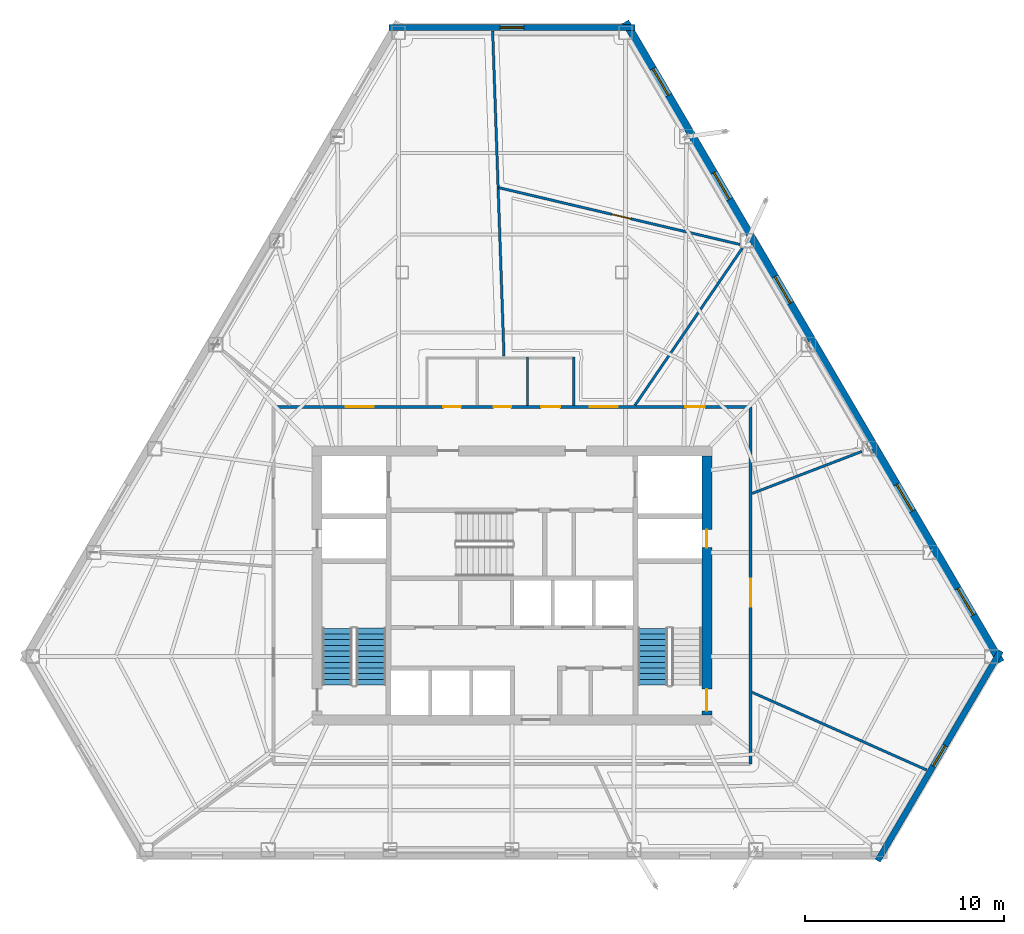
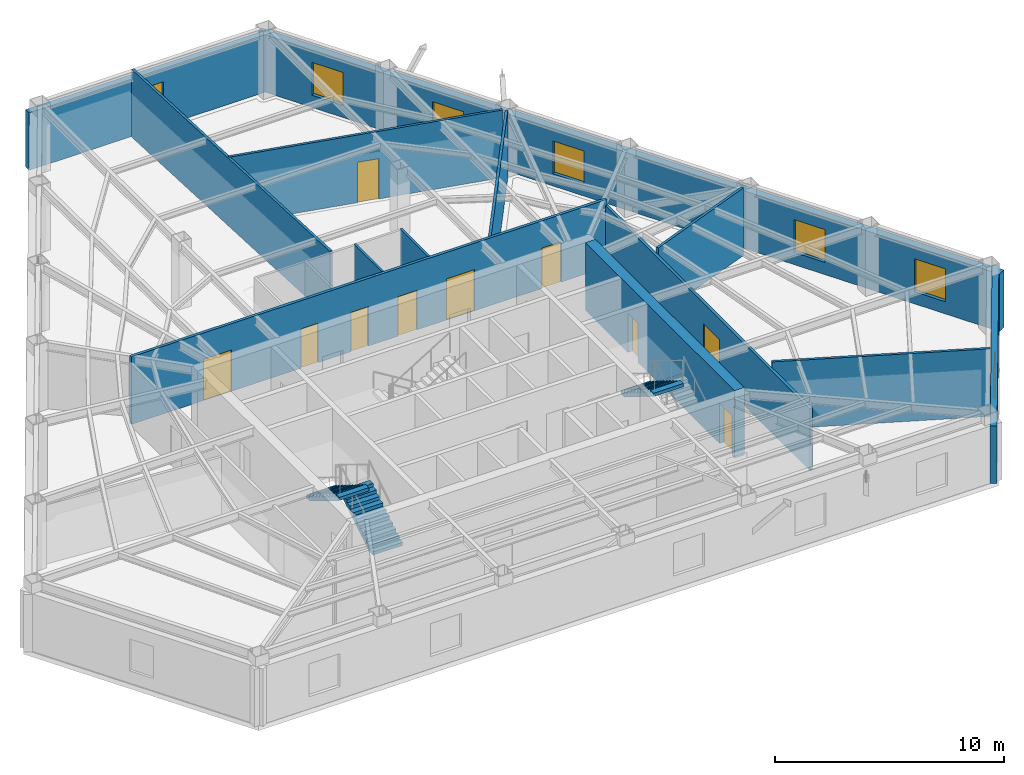
# One storey, part 10 of 13: 13 walls, 10 doors, 7 windows, 3 stair flights, 17 openings, 2 elements without a shape of their own.
"""IFC4 building model written with IfcOpenShell, lengths in metres."""

import ifcopenshell
import ifcopenshell.guid

model = None  # the IFC model being written
_history = None  # IfcOwnerHistory: only IFC2X3 demands one
_inside = {}  # id of a spatial element -> (the spatial element, [elements in it])
_under = {}  # id of a project, library or spatial element -> (it, [spatial elements below it])
_declared = {}  # id of a project -> (the project, [libraries it declares])
_typed = {}  # id of a type object -> (the type object, [elements of that type])
_made_of = {}  # id of a material, layer set ... -> (it, [elements and type objects made of it])


def new_model(schema):
    """Start an empty IFC model of exactly this schema.

    Asked for "IFC4X3", IfcOpenShell would pick the latest addendum, in which some entities
    have other attributes; the version numbers below select the first issue.
    IFC2X3 requires an IfcOwnerHistory on every rooted entity: one is made here for all.
    """
    global model, _history
    if schema == "IFC4X3":
        model = ifcopenshell.file(schema_version=(4, 3, 0, 0))
    else:
        model = ifcopenshell.file(schema=schema)
    _inside.clear()
    _under.clear()
    _declared.clear()
    _typed.clear()
    _made_of.clear()
    _history = None
    if model.schema == "IFC2X3":
        org = make("IfcOrganization", Name="unknown")
        user = make(
            "IfcPersonAndOrganization",
            ThePerson=make("IfcPerson", FamilyName="unknown"),
            TheOrganization=org,
        )
        app = make(
            "IfcApplication",
            ApplicationDeveloper=org,
            Version="unknown",
            ApplicationFullName="unknown",
            ApplicationIdentifier="unknown",
        )
        _history = make(
            "IfcOwnerHistory",
            OwningUser=user,
            OwningApplication=app,
            ChangeAction="ADDED",
            CreationDate=0,
        )
    return model


def make(cls, **values):
    """One entity of the class cls with the attributes given. An attribute that is None is left unset."""
    return model.create_entity(
        cls, **{name: value for name, value in values.items() if value is not None}
    )


def rooted(cls, **values):
    """An entity with a GlobalId (a new one), such as an element, a storey or a relation."""
    return make(cls, GlobalId=ifcopenshell.guid.new(), OwnerHistory=_history, **values)


def si_unit(unit_type, name, prefix=None):
    """IfcSIUnit, for example si_unit("LENGTHUNIT", "METRE", prefix="MILLI")."""
    return make("IfcSIUnit", UnitType=unit_type, Prefix=prefix, Name=name)


def assignment(units):
    """IfcUnitAssignment: the units of a project."""
    return None if units is None else make("IfcUnitAssignment", Units=units)


def point(xyz):
    """IfcCartesianPoint."""
    return None if xyz is None else make("IfcCartesianPoint", Coordinates=xyz)


def direction(xyz):
    """IfcDirection."""
    return None if xyz is None else make("IfcDirection", DirectionRatios=xyz)


def frame(location, z_axis=None, x_axis=None):
    """IfcAxis2Placement3D, a coordinate frame: its origin and axes. An axis left out is left unset."""
    return make(
        "IfcAxis2Placement3D",
        Location=point(location),
        Axis=direction(z_axis),
        RefDirection=direction(x_axis),
    )


def frame_2d(location, x_axis=None):
    """IfcAxis2Placement2D, a coordinate frame in the plane: its origin and x axis."""
    return make(
        "IfcAxis2Placement2D", Location=point(location), RefDirection=direction(x_axis)
    )


def origin():
    """The frame at (0, 0, 0) with its axes left unset."""
    return frame((0.0, 0.0, 0.0))


def place(relative_to, where):
    """IfcLocalPlacement: puts the frame where relative to a parent placement (None: the world)."""
    return make(
        "IfcLocalPlacement", PlacementRelTo=relative_to, RelativePlacement=where
    )


def context(
    kind, dimensions, precision=None, world=None, true_north=None, identifier=None
):
    """IfcGeometricRepresentationContext, for example the 3D "Model" context."""
    return make(
        "IfcGeometricRepresentationContext",
        ContextIdentifier=identifier,
        ContextType=kind,
        CoordinateSpaceDimension=dimensions,
        Precision=precision,
        WorldCoordinateSystem=world,
        TrueNorth=true_north,
    )


def subcontext(parent, identifier, kind, view, scale=None):
    """IfcGeometricRepresentationSubContext, for example "Body" below "Model"."""
    return make(
        "IfcGeometricRepresentationSubContext",
        ContextIdentifier=identifier,
        ContextType=kind,
        ParentContext=parent,
        TargetScale=scale,
        TargetView=view,
    )


def project(units=None, contexts=None):
    """IfcProject with its units and contexts."""
    return rooted(
        "IfcProject",
        Name="project",
        RepresentationContexts=contexts,
        UnitsInContext=assignment(units),
    )


def spatial(cls, under=None, at=None, **own):
    """A site, building, storey or space (cls), placed at a placement, below another one or the project."""
    s = rooted(cls, ObjectPlacement=at, **own)
    if under is not None:
        _under.setdefault(under.id(), (under, []))[1].append(s)
    return s


def polyline(points):
    """IfcPolyline through the points."""
    return make("IfcPolyline", Points=[point(p) for p in points])


def profile(cls, at=None, kind="AREA", **sizes):
    """A parametric profile (cls). Its sizes go by their IFC names, for example OverallWidth=200.0."""
    return make(cls, ProfileType=kind, Position=at, **sizes)


def rectangle(**sizes):
    """IfcRectangleProfileDef."""
    return profile("IfcRectangleProfileDef", **sizes)


def outline(outer, holes=None, kind="AREA"):
    """IfcArbitraryClosedProfileDef: a profile drawn as a closed curve; with holes, ...WithVoids."""
    if holes is None:
        return make("IfcArbitraryClosedProfileDef", ProfileType=kind, OuterCurve=outer)
    return make(
        "IfcArbitraryProfileDefWithVoids",
        ProfileType=kind,
        OuterCurve=outer,
        InnerCurves=holes,
    )


def extrude(swept, where, along, depth):
    """IfcExtrudedAreaSolid: the profile swept, set in the frame where, extruded along a direction by depth."""
    return make(
        "IfcExtrudedAreaSolid",
        SweptArea=swept,
        Position=where,
        ExtrudedDirection=direction(along),
        Depth=depth,
    )


def shape(context_of_items, identifier, shape_type, items):
    """IfcShapeRepresentation: the items that make up one representation, for example the "Body"."""
    return make(
        "IfcShapeRepresentation",
        ContextOfItems=context_of_items,
        RepresentationIdentifier=identifier,
        RepresentationType=shape_type,
        Items=items,
    )


def material(Name=None, Category=None):
    """IfcMaterial."""
    return make("IfcMaterial", Name=Name, Category=Category)


def layer(
    of_material, thickness, ventilated=None, Name=None, Category=None, Priority=None
):
    """IfcMaterialLayer: one layer of a wall or slab, of a material (None: an air gap)."""
    return make(
        "IfcMaterialLayer",
        Material=of_material,
        LayerThickness=thickness,
        IsVentilated=ventilated,
        Name=Name,
        Category=Category,
        Priority=Priority,
    )


def layer_set(layers, Name=None):
    """IfcMaterialLayerSet."""
    return make("IfcMaterialLayerSet", MaterialLayers=layers, LayerSetName=Name)


def made_of(thing, what):
    """Note that an element or type object is made of a material, layer set ...; save() writes the relation."""
    if what is not None:
        _made_of.setdefault(what.id(), (what, []))[1].append(thing)
    return thing


def type_object(cls, material=None, **own):
    """A type object (cls), such as IfcWallType, which elements share."""
    return made_of(rooted(cls, **own), material)


def element(
    cls,
    number,
    at=None,
    inside=None,
    cuts=None,
    type_object=None,
    material=None,
    context=None,
    identifier="Body",
    shape_type=None,
    held_by="IfcProductDefinitionShape",
    body=None,
    shapes=None,
    **own,
):
    """One element of the class cls, such as IfcWall. Its Tag is "e" and its number.

    at: its placement. inside: the storey or other place that contains it. cuts: it is an
    opening in that element (IfcRelVoidsElement). A single representation is given by context,
    identifier, shape_type and body (its items); several are given by shapes. held_by: the class
    of the entity that holds the representations. save() writes the other relations.
    """
    e = rooted(cls, Tag="e%d" % number, ObjectPlacement=at, **own)
    if body is not None:
        shapes = [shape(context, identifier, shape_type, body)]
    if shapes is not None:
        e.Representation = make(held_by, Representations=shapes)
    if inside is not None:
        _inside.setdefault(inside.id(), (inside, []))[1].append(e)
    if cuts is not None:
        rooted(
            "IfcRelVoidsElement", RelatingBuildingElement=cuts, RelatedOpeningElement=e
        )
    if type_object is not None:
        _typed.setdefault(type_object.id(), (type_object, []))[1].append(e)
    return made_of(e, material)


def fill(opening, filler):
    """IfcRelFillsElement: the door or window that sits in an opening."""
    return rooted(
        "IfcRelFillsElement",
        RelatingOpeningElement=opening,
        RelatedBuildingElement=filler,
    )


def aggregate(whole, parts):
    """IfcRelAggregates: a whole, such as a stair, and the parts it consists of."""
    return rooted("IfcRelAggregates", RelatingObject=whole, RelatedObjects=parts)


def save(model, path):
    """Write the relations noted so far, then the file.

    IfcRelAggregates (storeys below a building ...), IfcRelContainedInSpatialStructure (elements
    in a storey), IfcRelDefinesByType, IfcRelAssociatesMaterial and IfcRelDeclares: one each for
    every whole, place, type object, material and project.
    """
    for whole, parts in _under.values():
        aggregate(whole, parts)
    for where, things in _inside.values():
        rooted(
            "IfcRelContainedInSpatialStructure",
            RelatedElements=things,
            RelatingStructure=where,
        )
    for kind, things in _typed.values():
        rooted("IfcRelDefinesByType", RelatedObjects=things, RelatingType=kind)
    for what, things in _made_of.values():
        rooted("IfcRelAssociatesMaterial", RelatedObjects=things, RelatingMaterial=what)
    for by, libraries in _declared.values():
        rooted("IfcRelDeclares", RelatingContext=by, RelatedDefinitions=libraries)
    model.write(path)


model = new_model("IFC4")

# Units and contexts
model_context = context("Model", 3, precision=1e-05, world=origin(), true_north=direction((0.0, 1.0)))
body_context = subcontext(model_context, "Body", "Model", "MODEL_VIEW")
ifc_project = project(units=[si_unit("LENGTHUNIT", "METRE"), si_unit("AREAUNIT", "SQUARE_METRE"), si_unit("VOLUMEUNIT", "CUBIC_METRE"), si_unit("PLANEANGLEUNIT", "RADIAN"), si_unit("MASSUNIT", "GRAM", prefix="KILO")], contexts=[model_context])

# Site, building, storey
site_placement = place(None, origin())
site = spatial("IfcSite", under=ifc_project, at=site_placement, CompositionType="ELEMENT")
building_placement = place(site_placement, origin())
building = spatial("IfcBuilding", under=site, at=building_placement, Name="Kavelnor Concourse Tower", CompositionType="ELEMENT")
storey_placement = place(building_placement, frame((0.0, 0.0, 131.699951171875)))
storey = spatial("IfcBuildingStorey", under=building, at=storey_placement, Name="L33", CompositionType="ELEMENT", Elevation=131.699951171875)

# Wall, openings, doors
ifc_material_1 = material(Name="Concrete C60/75", Category="concrete")
ifc_layer_1 = layer(ifc_material_1, 0.5, Name="Concrete C60/75")
ifc_layer_set_1 = layer_set([ifc_layer_1], Name="Concrete C60/75")
wall_type_1 = type_object("IfcWallType", Name="WL-CORE-Z2-500", PredefinedType="SOLIDWALL", material=ifc_layer_set_1)
wall_1_placement = place(storey_placement, frame((47.77001953125, 9.60009765625, 0.0), z_axis=(0.0, 0.0, 1.0), x_axis=(0.0, 1.0, 0.0)))
wall_1 = element("IfcWall", 1, at=wall_1_placement, inside=storey, type_object=wall_type_1, Name="L33 Central Core East Shear Wall", PredefinedType="SOLIDWALL", context=body_context, shape_type="SweptSolid", body=[
    extrude(rectangle(XDim=13.0, YDim=0.5, at=frame_2d((6.5, 0.0))), origin(), (0.0, 0.0, 1.0), 3.60009765625),
])
opening_1_placement = place(wall_1_placement, frame((0.199951171875, 0.0, 0.0)))
opening_1 = element("IfcOpeningElement", 2, at=opening_1_placement, cuts=wall_1, Name="Opening FD-110", PredefinedType="OPENING", context=body_context, shape_type="SweptSolid", body=[
    extrude(rectangle(XDim=1.10009765625, YDim=2.14990234375, at=frame_2d((0.550048828125, 1.074951171875))), frame((0.0, 0.260009765625, 0.0), z_axis=(0.0, -1.0, 0.0), x_axis=(1.0, 0.0, 0.0)), (0.0, 0.0, 1.0), 0.52001953125),
])
opening_2_placement = place(wall_1_placement, frame((8.39990234375, 0.0, 0.0)))
opening_2 = element("IfcOpeningElement", 3, at=opening_2_placement, cuts=wall_1, Name="Opening FD-090", PredefinedType="OPENING", context=body_context, shape_type="SweptSolid", body=[
    extrude(rectangle(XDim=0.89990234375, YDim=2.10009765625, at=frame_2d((0.449951171875, 1.050048828125))), frame((0.0, 0.260009765625, 0.0), z_axis=(0.0, -1.0, 0.0), x_axis=(1.0, 0.0, 0.0)), (0.0, 0.0, 1.0), 0.52001953125),
])
ifc_material_2 = material(Name="Steel Grade 350", Category="steel")
door_type_1 = type_object("IfcDoorType", Name="DR-RISER-FIRE-900", OperationType="NOTDEFINED", PredefinedType="DOOR", material=ifc_material_2)
door_1_placement = place(opening_2_placement, origin())
door_1 = element("IfcDoor", 4, at=door_1_placement, inside=storey, type_object=door_type_1, Name="L33 East Riser Access Door", OperationType="SINGLE_SWING_LEFT", OverallHeight=2.10009765625, OverallWidth=0.89990234375, PredefinedType="DOOR", context=body_context, shape_type="SweptSolid", body=[
    extrude(rectangle(XDim=0.89990234375, YDim=2.10009765625, at=frame_2d((0.449951171875, 1.050048828125))), frame((0.0, 0.02490234375, 0.0), z_axis=(0.0, -1.0, 0.0), x_axis=(1.0, 0.0, 0.0)), (0.0, 0.0, 1.0), 0.050048828125),
])
fill(opening_2, door_1)
door_type_2 = type_object("IfcDoorType", Name="DR-STAIR-FIRE-1100", OperationType="NOTDEFINED", PredefinedType="DOOR", material=ifc_material_2)
door_2_placement = place(opening_1_placement, origin())
door_2 = element("IfcDoor", 5, at=door_2_placement, inside=storey, type_object=door_type_2, Name="L33 Stair ST2 Fire Door", OperationType="SINGLE_SWING_RIGHT", OverallHeight=2.14990234375, OverallWidth=1.10009765625, PredefinedType="DOOR", context=body_context, shape_type="SweptSolid", body=[
    extrude(rectangle(XDim=1.10009765625, YDim=2.14990234375, at=frame_2d((0.550048828125, 1.074951171875))), frame((0.0, 0.02490234375, 0.0), z_axis=(0.0, -1.0, 0.0), x_axis=(1.0, 0.0, 0.0)), (0.0, 0.0, 1.0), 0.050048828125),
])
fill(opening_1, door_2)

# Wall, opening, window
ifc_material_3 = material(Name="Buff ironspot clay face brick masonry", Category="masonry")
ifc_layer_2 = layer(ifc_material_3, 0.300048828125, Name="Buff ironspot clay face brick masonry")
ifc_layer_set_2 = layer_set([ifc_layer_2], Name="Buff ironspot clay face brick masonry")
wall_type_2 = type_object("IfcWallType", Name="WL-EXT-BUFF-BRICK-FOLD-300", PredefinedType="STANDARD", material=ifc_layer_set_2)
wall_2_placement = place(storey_placement, frame((31.8310546875, 44.087646484375, 0.0), z_axis=(0.0, 0.0, 1.0), x_axis=(1.0, 0.0, 0.0)))
wall_2 = element("IfcWall", 6, at=wall_2_placement, inside=storey, type_object=wall_type_2, Name="L33 Exterior Brick Facade Wall E0", PredefinedType="STANDARD", context=body_context, shape_type="SweptSolid", body=[
    extrude(rectangle(XDim=12.337890625, YDim=0.300048828125, at=frame_2d((6.1689453125, 0.0))), origin(), (0.0, 0.0, 1.0), 3.05908203125),
])
opening_3_placement = place(wall_2_placement, frame((5.569091796875, 0.0, 0.64990234375)))
opening_3 = element("IfcOpeningElement", 7, at=opening_3_placement, cuts=wall_2, Name="Opening W-05", PredefinedType="OPENING", context=body_context, shape_type="SweptSolid", body=[
    extrude(rectangle(XDim=1.199951171875, YDim=1.699951171875, at=frame_2d((0.60009765625, 0.85009765625))), frame((0.0, 0.16015625, 0.0), z_axis=(0.0, -1.0, 0.0), x_axis=(1.0, 0.0, 0.0)), (0.0, 0.0, 1.0), 0.320068359375),
])
ifc_material_4 = material(Name="Double low-E argon insulated glazing", Category="glass")
window_type_1 = type_object("IfcWindowType", Name="WIN-FOLD-1200", PartitioningType="SINGLE_PANEL", PredefinedType="WINDOW", material=ifc_material_4)
window_1_placement = place(opening_3_placement, origin())
window_1 = element("IfcWindow", 8, at=window_1_placement, inside=storey, type_object=window_type_1, Name="L33 Chamfer-Fold Facet Window C0", OverallHeight=1.699951171875, OverallWidth=1.199951171875, PartitioningType="SINGLE_PANEL", PredefinedType="WINDOW", context=body_context, shape_type="SweptSolid", body=[
    extrude(rectangle(XDim=1.199951171875, YDim=1.699951171875, at=frame_2d((0.60009765625, 0.85009765625))), frame((0.0, 0.030029296875, 0.0), z_axis=(0.0, -1.0, 0.0), x_axis=(1.0, 0.0, 0.0)), (0.0, 0.0, 1.0), 0.06005859375),
])
fill(opening_3, window_1)

wall_3_placement = place(storey_placement, frame((62.51513671875, 12.81201171875, 0.0), z_axis=(0.0, 0.0, 1.0), x_axis=(-0.505835558362, -0.862629925227, 0.0)))
wall_3 = element("IfcWall", 9, at=wall_3_placement, inside=storey, type_object=wall_type_2, Name="L33 Exterior Brick Facade Wall E4", PredefinedType="STANDARD", context=body_context, shape_type="SweptSolid", body=[
    extrude(rectangle(XDim=12.200439453125, YDim=0.300048828125, at=frame_2d((6.10009765625, 0.0))), origin(), (0.0, 0.0, 1.0), 3.05908203125),
])
opening_4_placement = place(wall_3_placement, frame((5.500244140625, 0.0, 0.64990234375)))
opening_4 = element("IfcOpeningElement", 10, at=opening_4_placement, cuts=wall_3, Name="Opening W-05", PredefinedType="OPENING", context=body_context, shape_type="SweptSolid", body=[
    extrude(rectangle(XDim=1.199951171875, YDim=1.699951171875, at=frame_2d((0.60009765625, 0.85009765625))), frame((0.0, 0.16015625, 0.0), z_axis=(0.0, -1.0, 0.0), x_axis=(1.0, 0.0, 0.0)), (0.0, 0.0, 1.0), 0.320068359375),
])
window_2_placement = place(opening_4_placement, origin())
window_2 = element("IfcWindow", 11, at=window_2_placement, inside=storey, type_object=window_type_1, Name="L33 Chamfer-Fold Facet Window C2", OverallHeight=1.699951171875, OverallWidth=1.199951171875, PartitioningType="SINGLE_PANEL", PredefinedType="WINDOW", context=body_context, shape_type="SweptSolid", body=[
    extrude(rectangle(XDim=1.199951171875, YDim=1.699951171875, at=frame_2d((0.60009765625, 0.85009765625))), frame((0.0, 0.030029296875, 0.0), z_axis=(0.0, -1.0, 0.0), x_axis=(1.0, 0.0, 0.0)), (0.0, 0.0, 1.0), 0.06005859375),
])
fill(opening_4, window_2)

# Wall, openings, windows
ifc_material_5 = material(Name="Red-ochre clay face brick masonry", Category="masonry")
ifc_layer_3 = layer(ifc_material_5, 0.3798828125, Name="Red-ochre clay face brick masonry")
ifc_layer_set_3 = layer_set([ifc_layer_3], Name="Red-ochre clay face brick masonry")
wall_type_3 = type_object("IfcWallType", Name="WL-EXT-RED-BRICK-PIER-380", PredefinedType="STANDARD", material=ifc_layer_set_3)
wall_4_placement = place(storey_placement, frame((43.686767578125, 44.364013671875, 0.0), z_axis=(0.0, 0.0, 1.0), x_axis=(0.505829244079, -0.862633627813, 0.0)))
wall_4 = element("IfcWall", 12, at=wall_4_placement, inside=storey, type_object=wall_type_3, Name="L33 Exterior Brick Facade Wall E5", PredefinedType="STANDARD", context=body_context, shape_type="SweptSolid", body=[
    extrude(rectangle(XDim=37.22265625, YDim=0.3798828125, at=frame_2d((18.611328125, 0.0))), origin(), (0.0, 0.0, 1.0), 3.05908203125),
])
opening_5_placement = place(wall_4_placement, frame((32.944091796875, 0.0, 0.64990234375)))
opening_5 = element("IfcOpeningElement", 13, at=opening_5_placement, cuts=wall_4, Name="Opening W-02", PredefinedType="OPENING", context=body_context, shape_type="SweptSolid", body=[
    extrude(rectangle(XDim=1.550048828125, YDim=1.75, at=frame_2d((0.77490234375, 0.875))), frame((0.0, 0.199951171875, 0.0), z_axis=(0.0, -1.0, 0.0), x_axis=(1.0, 0.0, 0.0)), (0.0, 0.0, 1.0), 0.39990234375),
])
opening_6_placement = place(wall_4_placement, frame((26.899658203125, 0.0, 0.64990234375)))
opening_6 = element("IfcOpeningElement", 14, at=opening_6_placement, cuts=wall_4, Name="Opening W-02", PredefinedType="OPENING", context=body_context, shape_type="SweptSolid", body=[
    extrude(rectangle(XDim=1.550048828125, YDim=1.75, at=frame_2d((0.77490234375, 0.875))), frame((0.0, 0.199951171875, 0.0), z_axis=(0.0, -1.0, 0.0), x_axis=(1.0, 0.0, 0.0)), (0.0, 0.0, 1.0), 0.39990234375),
])
opening_7_placement = place(wall_4_placement, frame((14.810791015625, 0.0, 0.64990234375)))
opening_7 = element("IfcOpeningElement", 15, at=opening_7_placement, cuts=wall_4, Name="Opening W-02", PredefinedType="OPENING", context=body_context, shape_type="SweptSolid", body=[
    extrude(rectangle(XDim=1.550048828125, YDim=1.75, at=frame_2d((0.77490234375, 0.875))), frame((0.0, 0.199951171875, 0.0), z_axis=(0.0, -1.0, 0.0), x_axis=(1.0, 0.0, 0.0)), (0.0, 0.0, 1.0), 0.39990234375),
])
opening_8_placement = place(wall_4_placement, frame((8.7666015625, 0.0, 0.64990234375)))
opening_8 = element("IfcOpeningElement", 16, at=opening_8_placement, cuts=wall_4, Name="Opening W-02", PredefinedType="OPENING", context=body_context, shape_type="SweptSolid", body=[
    extrude(rectangle(XDim=1.550048828125, YDim=1.75, at=frame_2d((0.77490234375, 0.875))), frame((0.0, 0.199951171875, 0.0), z_axis=(0.0, -1.0, 0.0), x_axis=(1.0, 0.0, 0.0)), (0.0, 0.0, 1.0), 0.39990234375),
])
opening_9_placement = place(wall_4_placement, frame((2.72216796875, 0.0, 0.64990234375)))
opening_9 = element("IfcOpeningElement", 17, at=opening_9_placement, cuts=wall_4, Name="Opening W-02", PredefinedType="OPENING", context=body_context, shape_type="SweptSolid", body=[
    extrude(rectangle(XDim=1.550048828125, YDim=1.75, at=frame_2d((0.77490234375, 0.875))), frame((0.0, 0.199951171875, 0.0), z_axis=(0.0, -1.0, 0.0), x_axis=(1.0, 0.0, 0.0)), (0.0, 0.0, 1.0), 0.39990234375),
])
window_type_2 = type_object("IfcWindowType", Name="WIN-PIER-Z2-1650", PartitioningType="SINGLE_PANEL", PredefinedType="WINDOW", material=ifc_material_4)
window_3_placement = place(opening_5_placement, origin())
window_3 = element("IfcWindow", 18, at=window_3_placement, inside=storey, type_object=window_type_2, Name="L33 Deep-Set Brick Pier Window F2-B0", OverallHeight=1.75, OverallWidth=1.550048828125, PartitioningType="SINGLE_PANEL", PredefinedType="WINDOW", context=body_context, shape_type="SweptSolid", body=[
    extrude(rectangle(XDim=1.550048828125, YDim=1.75, at=frame_2d((0.77490234375, 0.875))), frame((0.0, 0.030029296875, 0.0), z_axis=(0.0, -1.0, 0.0), x_axis=(1.0, 0.0, 0.0)), (0.0, 0.0, 1.0), 0.06005859375),
])
fill(opening_5, window_3)
window_4_placement = place(opening_6_placement, origin())
window_4 = element("IfcWindow", 19, at=window_4_placement, inside=storey, type_object=window_type_2, Name="L33 Deep-Set Brick Pier Window F2-B1", OverallHeight=1.75, OverallWidth=1.550048828125, PartitioningType="SINGLE_PANEL", PredefinedType="WINDOW", context=body_context, shape_type="SweptSolid", body=[
    extrude(rectangle(XDim=1.550048828125, YDim=1.75, at=frame_2d((0.77490234375, 0.875))), frame((0.0, 0.030029296875, 0.0), z_axis=(0.0, -1.0, 0.0), x_axis=(1.0, 0.0, 0.0)), (0.0, 0.0, 1.0), 0.06005859375),
])
fill(opening_6, window_4)
window_5_placement = place(opening_7_placement, origin())
window_5 = element("IfcWindow", 20, at=window_5_placement, inside=storey, type_object=window_type_2, Name="L33 Deep-Set Brick Pier Window F2-B3", OverallHeight=1.75, OverallWidth=1.550048828125, PartitioningType="SINGLE_PANEL", PredefinedType="WINDOW", context=body_context, shape_type="SweptSolid", body=[
    extrude(rectangle(XDim=1.550048828125, YDim=1.75, at=frame_2d((0.77490234375, 0.875))), frame((0.0, 0.030029296875, 0.0), z_axis=(0.0, -1.0, 0.0), x_axis=(1.0, 0.0, 0.0)), (0.0, 0.0, 1.0), 0.06005859375),
])
fill(opening_7, window_5)
window_6_placement = place(opening_8_placement, origin())
window_6 = element("IfcWindow", 21, at=window_6_placement, inside=storey, type_object=window_type_2, Name="L33 Deep-Set Brick Pier Window F2-B4", OverallHeight=1.75, OverallWidth=1.550048828125, PartitioningType="SINGLE_PANEL", PredefinedType="WINDOW", context=body_context, shape_type="SweptSolid", body=[
    extrude(rectangle(XDim=1.550048828125, YDim=1.75, at=frame_2d((0.77490234375, 0.875))), frame((0.0, 0.030029296875, 0.0), z_axis=(0.0, -1.0, 0.0), x_axis=(1.0, 0.0, 0.0)), (0.0, 0.0, 1.0), 0.06005859375),
])
fill(opening_8, window_6)
window_7_placement = place(opening_9_placement, origin())
window_7 = element("IfcWindow", 22, at=window_7_placement, inside=storey, type_object=window_type_2, Name="L33 Deep-Set Brick Pier Window F2-B5", OverallHeight=1.75, OverallWidth=1.550048828125, PartitioningType="SINGLE_PANEL", PredefinedType="WINDOW", context=body_context, shape_type="SweptSolid", body=[
    extrude(rectangle(XDim=1.550048828125, YDim=1.75, at=frame_2d((0.77490234375, 0.875))), frame((0.0, 0.030029296875, 0.0), z_axis=(0.0, -1.0, 0.0), x_axis=(1.0, 0.0, 0.0)), (0.0, 0.0, 1.0), 0.06005859375),
])
fill(opening_9, window_7)

# Wall, opening, door
ifc_material_6 = material(Name="Gypsum plasterboard on light-gauge steel studs", Category="steel")
ifc_layer_4 = layer(ifc_material_6, 0.14501953125, Name="Gypsum plasterboard on light-gauge steel studs")
ifc_layer_set_4 = layer_set([ifc_layer_4], Name="Gypsum plasterboard on light-gauge steel studs")
wall_type_4 = type_object("IfcWallType", Name="WL-INT-CORR-145", PredefinedType="PARTITIONING", material=ifc_layer_set_4)
wall_5_placement = place(storey_placement, frame((49.969970703125, 7.14990234375, 0.0), z_axis=(0.0, 0.0, 1.0), x_axis=(0.0, 1.0, 0.0)))
wall_5 = element("IfcWall", 23, at=wall_5_placement, inside=storey, type_object=wall_type_4, Name="L33 Corridor Wall WL-L33-CR-01", PredefinedType="PARTITIONING", context=body_context, shape_type="SweptSolid", body=[
    extrude(rectangle(XDim=17.900146484375, YDim=0.14501953125, at=frame_2d((8.9501953125, 0.0))), origin(), (0.0, 0.0, 1.0), 3.2880859375),
])
opening_10_placement = place(wall_5_placement, frame((7.874267578125, 0.0, 0.0)))
opening_10 = element("IfcOpeningElement", 24, at=opening_10_placement, cuts=wall_5, Name="Opening SD-140", PredefinedType="OPENING", context=body_context, shape_type="SweptSolid", body=[
    extrude(rectangle(XDim=1.39990234375, YDim=2.199951171875, at=frame_2d((0.699951171875, 1.10009765625))), frame((0.0, 0.08251953125, 0.0), z_axis=(0.0, -1.0, 0.0), x_axis=(1.0, 0.0, 0.0)), (0.0, 0.0, 1.0), 0.1650390625),
])
ifc_material_7 = material(Name="Solid-core hardwood timber", Category="wood")
door_type_3 = type_object("IfcDoorType", Name="DR-SUITE-ENTRY-1400", OperationType="NOTDEFINED", PredefinedType="DOOR", material=ifc_material_7)
door_3_placement = place(opening_10_placement, origin())
door_3 = element("IfcDoor", 25, at=door_3_placement, inside=storey, type_object=door_type_3, Name="L33 Staff Breakout Pantry 09 Door", OperationType="SINGLE_SWING_LEFT", OverallHeight=2.199951171875, OverallWidth=1.39990234375, PredefinedType="DOOR", context=body_context, shape_type="SweptSolid", body=[
    extrude(rectangle(XDim=1.39990234375, YDim=2.199951171875, at=frame_2d((0.699951171875, 1.10009765625))), frame((0.0, 0.02490234375, 0.0), z_axis=(0.0, -1.0, 0.0), x_axis=(1.0, 0.0, 0.0)), (0.0, 0.0, 1.0), 0.050048828125),
])
fill(opening_10, door_3)

# Wall, openings, doors
wall_6_placement = place(storey_placement, frame((49.969970703125, 25.050048828125, 0.0), z_axis=(0.0, 0.0, 1.0), x_axis=(-1.0, 0.0, 0.0)))
wall_6 = element("IfcWall", 26, at=wall_6_placement, inside=storey, type_object=wall_type_4, Name="L33 Corridor Wall WL-L33-CR-02", PredefinedType="PARTITIONING", context=body_context, shape_type="SweptSolid", body=[
    extrude(rectangle(XDim=23.93994140625, YDim=0.14501953125, at=frame_2d((11.969970703125, 0.0))), origin(), (0.0, 0.0, 1.0), 3.60009765625),
])
opening_11_placement = place(wall_6_placement, frame((14.530029296875, 0.0, 0.0)))
opening_11 = element("IfcOpeningElement", 27, at=opening_11_placement, cuts=wall_6, Name="Opening WD-088", PredefinedType="OPENING", context=body_context, shape_type="SweptSolid", body=[
    extrude(rectangle(XDim=0.8798828125, YDim=2.10009765625, at=frame_2d((0.43994140625, 1.050048828125))), frame((0.0, 0.08251953125, 0.0), z_axis=(0.0, -1.0, 0.0), x_axis=(1.0, 0.0, 0.0)), (0.0, 0.0, 1.0), 0.1650390625),
])
opening_12_placement = place(wall_6_placement, frame((12.010009765625, 0.0, 0.0)))
opening_12 = element("IfcOpeningElement", 28, at=opening_12_placement, cuts=wall_6, Name="Opening WD-088", PredefinedType="OPENING", context=body_context, shape_type="SweptSolid", body=[
    extrude(rectangle(XDim=0.8798828125, YDim=2.10009765625, at=frame_2d((0.43994140625, 1.050048828125))), frame((0.0, 0.08251953125, 0.0), z_axis=(0.0, -1.0, 0.0), x_axis=(1.0, 0.0, 0.0)), (0.0, 0.0, 1.0), 0.1650390625),
])
opening_13_placement = place(wall_6_placement, frame((9.550048828125, 0.0, 0.0)))
opening_13 = element("IfcOpeningElement", 29, at=opening_13_placement, cuts=wall_6, Name="Opening WD-096", PredefinedType="OPENING", context=body_context, shape_type="SweptSolid", body=[
    extrude(rectangle(XDim=0.9599609375, YDim=2.10009765625, at=frame_2d((0.47998046875, 1.050048828125))), frame((0.0, 0.08251953125, 0.0), z_axis=(0.0, -1.0, 0.0), x_axis=(1.0, 0.0, 0.0)), (0.0, 0.0, 1.0), 0.1650390625),
])
opening_14_placement = place(wall_6_placement, frame((2.291748046875, 0.0, 0.0)))
opening_14 = element("IfcOpeningElement", 30, at=opening_14_placement, cuts=wall_6, Name="Opening OD-098", PredefinedType="OPENING", context=body_context, shape_type="SweptSolid", body=[
    extrude(rectangle(XDim=0.97998046875, YDim=2.14990234375, at=frame_2d((0.489990234375, 1.074951171875))), frame((0.0, 0.08251953125, 0.0), z_axis=(0.0, -1.0, 0.0), x_axis=(1.0, 0.0, 0.0)), (0.0, 0.0, 1.0), 0.1650390625),
])
opening_15_placement = place(wall_6_placement, frame((6.667724609375, 0.0, 0.0)))
opening_15 = element("IfcOpeningElement", 31, at=opening_15_placement, cuts=wall_6, Name="Opening SD-140", PredefinedType="OPENING", context=body_context, shape_type="SweptSolid", body=[
    extrude(rectangle(XDim=1.39990234375, YDim=2.199951171875, at=frame_2d((0.699951171875, 1.10009765625))), frame((0.0, 0.08251953125, 0.0), z_axis=(0.0, -1.0, 0.0), x_axis=(1.0, 0.0, 0.0)), (0.0, 0.0, 1.0), 0.1650390625),
])
opening_16_placement = place(wall_6_placement, frame((18.90087890625, 0.0, 0.0)))
opening_16 = element("IfcOpeningElement", 32, at=opening_16_placement, cuts=wall_6, Name="Opening SD-140", PredefinedType="OPENING", context=body_context, shape_type="SweptSolid", body=[
    extrude(rectangle(XDim=1.39990234375, YDim=2.199951171875, at=frame_2d((0.699951171875, 1.10009765625))), frame((0.0, 0.08251953125, 0.0), z_axis=(0.0, -1.0, 0.0), x_axis=(1.0, 0.0, 0.0)), (0.0, 0.0, 1.0), 0.1650390625),
])
door_type_4 = type_object("IfcDoorType", Name="DR-OFFICE-980", OperationType="NOTDEFINED", PredefinedType="DOOR", material=ifc_material_7)
door_4_placement = place(opening_14_placement, origin())
door_4 = element("IfcDoor", 33, at=door_4_placement, inside=storey, type_object=door_type_4, Name="L33 Executive Dining Room 01 Door", OperationType="SINGLE_SWING_LEFT", OverallHeight=2.14990234375, OverallWidth=0.97998046875, PredefinedType="DOOR", context=body_context, shape_type="SweptSolid", body=[
    extrude(rectangle(XDim=0.97998046875, YDim=2.14990234375, at=frame_2d((0.489990234375, 1.074951171875))), frame((0.0, 0.02490234375, 0.0), z_axis=(0.0, -1.0, 0.0), x_axis=(1.0, 0.0, 0.0)), (0.0, 0.0, 1.0), 0.050048828125),
])
fill(opening_14, door_4)
door_5_placement = place(opening_15_placement, origin())
door_5 = element("IfcDoor", 34, at=door_5_placement, inside=storey, type_object=door_type_3, Name="L33 Tenant Bookstore Retail Shop 02 Door", OperationType="SINGLE_SWING_RIGHT", OverallHeight=2.199951171875, OverallWidth=1.39990234375, PredefinedType="DOOR", context=body_context, shape_type="SweptSolid", body=[
    extrude(rectangle(XDim=1.39990234375, YDim=2.199951171875, at=frame_2d((0.699951171875, 1.10009765625))), frame((0.0, 0.02490234375, 0.0), z_axis=(0.0, -1.0, 0.0), x_axis=(1.0, 0.0, 0.0)), (0.0, 0.0, 1.0), 0.050048828125),
])
fill(opening_15, door_5)
door_6_placement = place(opening_16_placement, origin())
door_6 = element("IfcDoor", 35, at=door_6_placement, inside=storey, type_object=door_type_3, Name="L33 Executive Dining Room 04 Door", OperationType="SINGLE_SWING_RIGHT", OverallHeight=2.199951171875, OverallWidth=1.39990234375, PredefinedType="DOOR", context=body_context, shape_type="SweptSolid", body=[
    extrude(rectangle(XDim=1.39990234375, YDim=2.199951171875, at=frame_2d((0.699951171875, 1.10009765625))), frame((0.0, 0.02490234375, 0.0), z_axis=(0.0, -1.0, 0.0), x_axis=(1.0, 0.0, 0.0)), (0.0, 0.0, 1.0), 0.050048828125),
])
fill(opening_16, door_6)
door_type_5 = type_object("IfcDoorType", Name="DR-WC-ACC-960", OperationType="NOTDEFINED", PredefinedType="DOOR", material=ifc_material_7)
door_7_placement = place(opening_13_placement, origin())
door_7 = element("IfcDoor", 36, at=door_7_placement, inside=storey, type_object=door_type_5, Name="L33 Accessible WC Door", OperationType="SINGLE_SWING_RIGHT", OverallHeight=2.10009765625, OverallWidth=0.9599609375, PredefinedType="DOOR", context=body_context, shape_type="SweptSolid", body=[
    extrude(rectangle(XDim=0.9599609375, YDim=2.10009765625, at=frame_2d((0.47998046875, 1.050048828125))), frame((0.0, 0.02490234375, 0.0), z_axis=(0.0, -1.0, 0.0), x_axis=(1.0, 0.0, 0.0)), (0.0, 0.0, 1.0), 0.050048828125),
])
fill(opening_13, door_7)
door_type_6 = type_object("IfcDoorType", Name="DR-WC-STD-880", OperationType="NOTDEFINED", PredefinedType="DOOR", material=ifc_material_7)
door_8_placement = place(opening_11_placement, origin())
door_8 = element("IfcDoor", 37, at=door_8_placement, inside=storey, type_object=door_type_6, Name="L33 Male WC Door", OperationType="SINGLE_SWING_RIGHT", OverallHeight=2.10009765625, OverallWidth=0.8798828125, PredefinedType="DOOR", context=body_context, shape_type="SweptSolid", body=[
    extrude(rectangle(XDim=0.8798828125, YDim=2.10009765625, at=frame_2d((0.43994140625, 1.050048828125))), frame((0.0, 0.02490234375, 0.0), z_axis=(0.0, -1.0, 0.0), x_axis=(1.0, 0.0, 0.0)), (0.0, 0.0, 1.0), 0.050048828125),
])
fill(opening_11, door_8)
door_9_placement = place(opening_12_placement, origin())
door_9 = element("IfcDoor", 38, at=door_9_placement, inside=storey, type_object=door_type_6, Name="L33 Female WC Door", OperationType="SINGLE_SWING_LEFT", OverallHeight=2.10009765625, OverallWidth=0.8798828125, PredefinedType="DOOR", context=body_context, shape_type="SweptSolid", body=[
    extrude(rectangle(XDim=0.8798828125, YDim=2.10009765625, at=frame_2d((0.43994140625, 1.050048828125))), frame((0.0, 0.02490234375, 0.0), z_axis=(0.0, -1.0, 0.0), x_axis=(1.0, 0.0, 0.0)), (0.0, 0.0, 1.0), 0.050048828125),
])
fill(opening_12, door_9)

# Walls
ifc_layer_5 = layer(ifc_material_6, 0.125, Name="Gypsum plasterboard on light-gauge steel studs")
ifc_layer_set_5 = layer_set([ifc_layer_5], Name="Gypsum plasterboard on light-gauge steel studs")
wall_type_5 = type_object("IfcWallType", Name="WL-INT-SUITE-125", PredefinedType="PARTITIONING", material=ifc_layer_set_5)
wall_7_placement = place(storey_placement, frame((50.050537109375, 20.712890625, 0.0), z_axis=(0.0, 0.0, 1.0), x_axis=(0.933900595494, 0.357532764563, 0.0)))
element("IfcWall", 39, at=wall_7_placement, inside=storey, type_object=wall_type_5, Name="L33 Radial Suite Partition 01", PredefinedType="PARTITIONING", context=body_context, shape_type="SweptSolid", body=[
    extrude(rectangle(XDim=5.89501953125, YDim=0.125, at=frame_2d((2.947509765625, 0.0))), origin(), (0.0, 0.0, 1.0), 3.60009765625),
])
wall_8_placement = place(storey_placement, frame((44.16796875, 25.130615234375, 0.0), z_axis=(0.0, 0.0, 1.0), x_axis=(0.564016038555, 0.825763833219, 0.0)))
element("IfcWall", 40, at=wall_8_placement, inside=storey, type_object=wall_type_5, Name="L33 Radial Suite Partition 02", PredefinedType="PARTITIONING", context=body_context, shape_type="SweptSolid", body=[
    extrude(rectangle(XDim=9.555908203125, YDim=0.125, at=frame_2d((4.77783203125, 0.0))), origin(), (0.0, 0.0, 1.0), 3.60009765625),
])
wall_9_placement = place(storey_placement, frame((37.598388671875, 27.60009765625, 0.0), z_axis=(0.0, 0.0, 1.0), x_axis=(-0.034895520883, 0.99939096585, 0.0)))
element("IfcWall", 41, at=wall_9_placement, inside=storey, type_object=wall_type_5, Name="L33 Radial Suite Partition 03", PredefinedType="PARTITIONING", context=body_context, shape_type="SweptSolid", body=[
    extrude(rectangle(XDim=16.322509765625, YDim=0.125, at=frame_2d((8.1611328125, 0.0))), origin(), (0.0, 0.0, 1.0), 3.60009765625),
])
wall_10_placement = place(storey_placement, frame((50.050537109375, 10.73486328125, 0.0), z_axis=(0.0, 0.0, 1.0), x_axis=(0.913539334281, -0.406750396092, 0.0)))
element("IfcWall", 42, at=wall_10_placement, inside=storey, type_object=wall_type_5, Name="L33 Radial Suite Partition 08", PredefinedType="PARTITIONING", context=body_context, shape_type="SweptSolid", body=[
    extrude(rectangle(XDim=9.586181640625, YDim=0.125, at=frame_2d((4.79296875, 0.0))), origin(), (0.0, 0.0, 1.0), 3.60009765625),
])

# Wall, opening, door
wall_11_placement = place(storey_placement, frame((49.44091796875, 33.19921875, 0.0), z_axis=(0.0, 0.0, 1.0), x_axis=(-0.973375761663, 0.229215240784, 0.0)))
wall_11 = element("IfcWall", 43, at=wall_11_placement, inside=storey, type_object=wall_type_5, Name="L33 Suite Subdivision Partition 02", PredefinedType="PARTITIONING", context=body_context, shape_type="SweptSolid", body=[
    extrude(rectangle(XDim=12.454345703125, YDim=0.125, at=frame_2d((6.22705078125, 0.0))), origin(), (0.0, 0.0, 1.0), 3.60009765625),
])
opening_17_placement = place(wall_11_placement, frame((5.629638671875, 0.0, 0.0)))
opening_17 = element("IfcOpeningElement", 44, at=opening_17_placement, cuts=wall_11, Name="Opening OD-098", PredefinedType="OPENING", context=body_context, shape_type="SweptSolid", body=[
    extrude(rectangle(XDim=0.97998046875, YDim=2.14990234375, at=frame_2d((0.489990234375, 1.074951171875))), frame((0.0, 0.072509765625, 0.0), z_axis=(0.0, -1.0, 0.0), x_axis=(1.0, 0.0, 0.0)), (0.0, 0.0, 1.0), 0.14501953125),
])
door_10_placement = place(opening_17_placement, origin())
door_10 = element("IfcDoor", 45, at=door_10_placement, inside=storey, type_object=door_type_4, Name="L33 Architectural Design Studio 03 Door", OperationType="SINGLE_SWING_LEFT", OverallHeight=2.14990234375, OverallWidth=0.97998046875, PredefinedType="DOOR", context=body_context, shape_type="SweptSolid", body=[
    extrude(rectangle(XDim=0.97998046875, YDim=2.14990234375, at=frame_2d((0.489990234375, 1.074951171875))), frame((0.0, 0.02490234375, 0.0), z_axis=(0.0, -1.0, 0.0), x_axis=(1.0, 0.0, 0.0)), (0.0, 0.0, 1.0), 0.050048828125),
])
fill(opening_17, door_10)

# Walls
ifc_layer_6 = layer(ifc_material_6, 0.110107421875, Name="Gypsum plasterboard on light-gauge steel studs")
ifc_layer_set_6 = layer_set([ifc_layer_6], Name="Gypsum plasterboard on light-gauge steel studs")
wall_type_6 = type_object("IfcWallType", Name="WL-INT-WC-110", PredefinedType="PLUMBINGWALL", material=ifc_layer_set_6)
for number, where, z_axis, x_axis, name in (
    (46, (38.780029296875, 25.1201171875, 0.0), (0.0, 0.0, 1.0), (0.0, 1.0, 0.0), "L33 Sanitary Partition WL-L33-WC-D2"),
    (47, (41.10009765625, 25.1201171875, 0.0), (0.0, 0.0, 1.0), (0.0, 1.0, 0.0), "L33 Sanitary Partition WL-L33-WC-E"),
):
    element("IfcWall", number, at=place(storey_placement, frame(where, z_axis=z_axis, x_axis=x_axis)), inside=storey, type_object=wall_type_6, Name=name, PredefinedType="PLUMBINGWALL", context=body_context, shape_type="SweptSolid", body=[
        extrude(rectangle(XDim=2.43994140625, YDim=0.110107421875, at=frame_2d((1.219970703125, 0.0))), origin(), (0.0, 0.0, 1.0), 3.60009765625),
    ])

# Stair, stair flights
ifc_material_8 = material(Name="Concrete C40/50", Category="concrete")
stair_type = type_object("IfcStairType", Name="STR-CORE-1500", PredefinedType="HALF_TURN_STAIR", material=ifc_material_8)
stair_1_placement = place(storey_placement, origin())
stair_1 = element("IfcStair", 48, at=stair_1_placement, inside=storey, type_object=stair_type, Name="L33 ST1", PredefinedType="HALF_TURN_STAIR")
stair_flight_type = type_object("IfcStairFlightType", Name="STR-FLIGHT-1500", PredefinedType="STRAIGHT", material=ifc_material_8)
stair_flight_1_placement = place(storey_placement, frame((30.929931640625, 11.10009765625, 0.0), z_axis=(0.0, 0.0, 1.0), x_axis=(0.0, 1.0, 0.0)))
stair_flight_1 = element("IfcStairFlight", 49, at=stair_flight_1_placement, type_object=stair_flight_type, Name="ST1 flight 1", NumberOfRisers=11, NumberOfTreads=10, PredefinedType="STRAIGHT", RiserHeight=0.175, TreadLength=0.285, context=body_context, shape_type="SweptSolid", body=[
    extrude(outline(polyline([(0.0, 0.0), (0.0, 0.175048828125), (0.284912109375, 0.175048828125), (0.284912109375, 0.35009765625), (0.570068359375, 0.35009765625), (0.570068359375, 0.52490234375), (0.85498046875, 0.52490234375), (0.85498046875, 0.699951171875), (1.139892578125, 0.699951171875), (1.139892578125, 0.875), (1.425048828125, 0.875), (1.425048828125, 1.050048828125), (1.7099609375, 1.050048828125), (1.7099609375, 1.22509765625), (1.9951171875, 1.22509765625), (1.9951171875, 1.39990234375), (2.280029296875, 1.39990234375), (2.280029296875, 1.574951171875), (2.56494140625, 1.574951171875), (2.56494140625, 1.75), (2.85009765625, 1.75), (2.85009765625, 1.925048828125), (2.85009765625, 1.573974609375), (0.286376953125, 0.0), (0.0, 0.0)])), frame((0.0, 0.75, 0.0), z_axis=(0.0, -1.0, 0.0), x_axis=(1.0, 0.0, 0.0)), (0.0, 0.0, 1.0), 1.5),
])
stair_flight_2_placement = place(storey_placement, frame((29.22998046875, 13.949951171875, 1.925048828125), z_axis=(0.0, 0.0, 1.0), x_axis=(0.0, -1.0, 0.0)))
stair_flight_2 = element("IfcStairFlight", 50, at=stair_flight_2_placement, type_object=stair_flight_type, Name="ST1 flight 2", NumberOfRisers=11, NumberOfTreads=10, PredefinedType="STRAIGHT", RiserHeight=0.175, TreadLength=0.285, context=body_context, shape_type="SweptSolid", body=[
    extrude(outline(polyline([(0.0, 0.0), (0.0, 0.175048828125), (0.284912109375, 0.175048828125), (0.284912109375, 0.35009765625), (0.570068359375, 0.35009765625), (0.570068359375, 0.52490234375), (0.85498046875, 0.52490234375), (0.85498046875, 0.699951171875), (1.139892578125, 0.699951171875), (1.139892578125, 0.875), (1.425048828125, 0.875), (1.425048828125, 1.050048828125), (1.7099609375, 1.050048828125), (1.7099609375, 1.22509765625), (1.9951171875, 1.22509765625), (1.9951171875, 1.39990234375), (2.280029296875, 1.39990234375), (2.280029296875, 1.574951171875), (2.56494140625, 1.574951171875), (2.56494140625, 1.75), (2.85009765625, 1.75), (2.85009765625, 1.925048828125), (2.85009765625, 1.573974609375), (0.286376953125, 0.0), (0.0, 0.0)])), frame((0.0, 0.75, 0.0), z_axis=(0.0, -1.0, 0.0), x_axis=(1.0, 0.0, 0.0)), (0.0, 0.0, 1.0), 1.5),
])
aggregate(stair_1, [stair_flight_1, stair_flight_2])

# Stair, stair flight
stair_2_placement = place(storey_placement, origin())
stair_2 = element("IfcStair", 51, at=stair_2_placement, inside=storey, type_object=stair_type, Name="L33 ST2", PredefinedType="HALF_TURN_STAIR")
stair_flight_3_placement = place(storey_placement, frame((45.070068359375, 13.949951171875, 1.925048828125), z_axis=(0.0, 0.0, 1.0), x_axis=(0.0, -1.0, 0.0)))
stair_flight_3 = element("IfcStairFlight", 52, at=stair_flight_3_placement, type_object=stair_flight_type, Name="ST2 flight 2", NumberOfRisers=11, NumberOfTreads=10, PredefinedType="STRAIGHT", RiserHeight=0.175, TreadLength=0.285, context=body_context, shape_type="SweptSolid", body=[
    extrude(outline(polyline([(0.0, 0.0), (0.0, 0.175048828125), (0.284912109375, 0.175048828125), (0.284912109375, 0.35009765625), (0.570068359375, 0.35009765625), (0.570068359375, 0.52490234375), (0.85498046875, 0.52490234375), (0.85498046875, 0.699951171875), (1.139892578125, 0.699951171875), (1.139892578125, 0.875), (1.425048828125, 0.875), (1.425048828125, 1.050048828125), (1.7099609375, 1.050048828125), (1.7099609375, 1.22509765625), (1.9951171875, 1.22509765625), (1.9951171875, 1.39990234375), (2.280029296875, 1.39990234375), (2.280029296875, 1.574951171875), (2.56494140625, 1.574951171875), (2.56494140625, 1.75), (2.85009765625, 1.75), (2.85009765625, 1.925048828125), (2.85009765625, 1.573974609375), (0.286376953125, 0.0), (0.0, 0.0)])), frame((0.0, 0.75, 0.0), z_axis=(0.0, -1.0, 0.0), x_axis=(1.0, 0.0, 0.0)), (0.0, 0.0, 1.0), 1.5),
])
aggregate(stair_2, [stair_flight_3])

save(model, "model.ifc")
